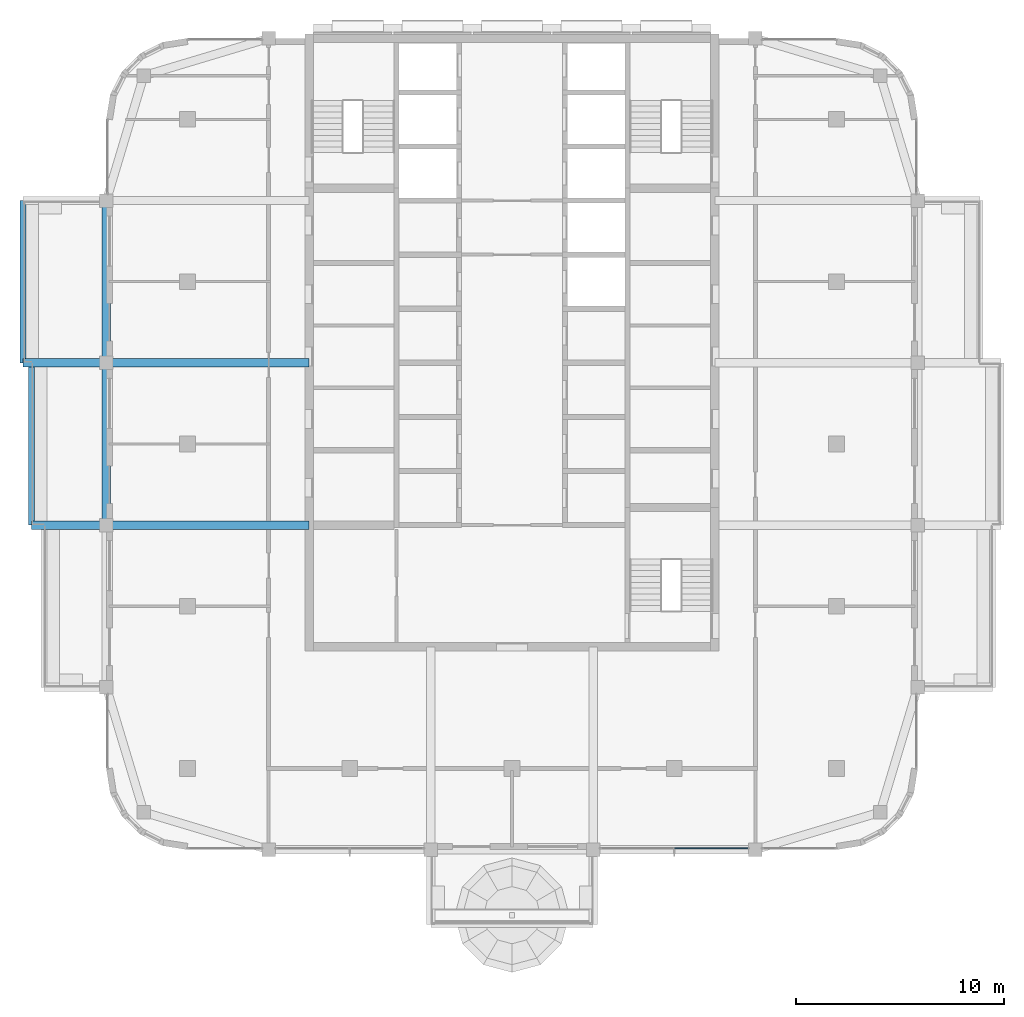
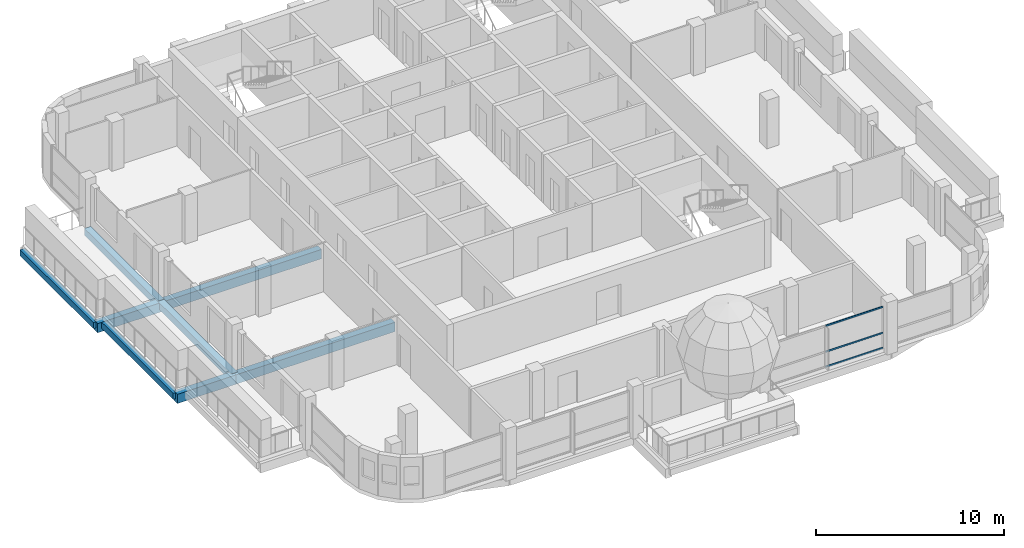
# One storey, part 4 of 19: 8 beams, 3 members, 1 element without a shape of its own.
"""IFC4 building model written with IfcOpenShell, lengths in metres."""

from ifc_helpers import new_model, si_unit, direction, frame, origin, origin_2d, place, context, subcontext, project, spatial, rectangle, extrude, material, material_profile, profile_set, type_object, element, aggregate, save


model = new_model("IFC4")

# Units and contexts
model_context = context("Model", 3, precision=1e-05, world=origin(), true_north=direction((0.0, 1.0)))
body_context = subcontext(model_context, "Body", "Model", "MODEL_VIEW")
ifc_project = project(units=[si_unit("LENGTHUNIT", "METRE"), si_unit("AREAUNIT", "SQUARE_METRE"), si_unit("VOLUMEUNIT", "CUBIC_METRE"), si_unit("PLANEANGLEUNIT", "RADIAN"), si_unit("MASSUNIT", "GRAM", prefix="KILO")], contexts=[model_context])

# Site, building, storey
site_placement = place(None, origin())
site = spatial("IfcSite", under=ifc_project, at=site_placement, CompositionType="ELEMENT")
building_placement = place(site_placement, origin())
building = spatial("IfcBuilding", under=site, at=building_placement, Name="Ludao Terraces", CompositionType="ELEMENT")
storey_placement = place(building_placement, frame((0.0, 0.0, 256.199951171875)))
storey = spatial("IfcBuildingStorey", under=building, at=storey_placement, Name="L70", CompositionType="ELEMENT", Elevation=256.199951171875)

# Curtain wall, members
ifc_material_1 = material(Name="Aluminium curtain wall with fritted glass", Category="aluminium")
curtain_wall_type = type_object("IfcCurtainWallType", Name="ENV CW3 community glazing", PredefinedType="NOTDEFINED", material=ifc_material_1)
curtain_wall_placement = place(storey_placement, origin())
curtain_wall = element("IfcCurtainWall", 1, at=curtain_wall_placement, inside=storey, type_object=curtain_wall_type, Name="Community floor glazing L70 S4", PredefinedType="NOTDEFINED")
ifc_material_2 = material(Name="Aluminium 6063-T6", Category="aluminium")
ifc_material_profile_1 = material_profile(ifc_material_2, rectangle(XDim=0.050048828125, YDim=0.10009765625, at=origin_2d()), Name="50 X 100")
ifc_profile_set_1 = profile_set([ifc_material_profile_1], Name="Aluminium 6063-T6")
member_type = type_object("IfcMemberType", Name="ENV CW3 transom 50x100", PredefinedType="USERDEFINED", material=ifc_profile_set_1)
member_1_placement = place(storey_placement, frame((92.824951171875, 45.56005859375, 0.025146484375), z_axis=(1.0, 0.0, 0.0), x_axis=(0.0, 1.0, 0.0)))
member_1 = element("IfcMember", 2, at=member_1_placement, type_object=member_type, Name="CW3 transom 2.1", ObjectType="TRANSOM", PredefinedType="USERDEFINED", context=body_context, shape_type="SweptSolid", body=[
    extrude(rectangle(XDim=0.050048828125, YDim=0.10009765625, at=origin_2d()), origin(), (0.0, 0.0, 1.0), 3.5),
])
member_2_placement = place(storey_placement, frame((92.824951171875, 45.56005859375, 1.0), z_axis=(1.0, 0.0, 0.0), x_axis=(0.0, 1.0, 0.0)))
member_2 = element("IfcMember", 3, at=member_2_placement, type_object=member_type, Name="CW3 transom 2.2", ObjectType="TRANSOM", PredefinedType="USERDEFINED", context=body_context, shape_type="SweptSolid", body=[
    extrude(rectangle(XDim=0.050048828125, YDim=0.10009765625, at=origin_2d()), origin(), (0.0, 0.0, 1.0), 3.5),
])
member_3_placement = place(storey_placement, frame((92.824951171875, 45.56005859375, 2.675048828125), z_axis=(1.0, 0.0, 0.0), x_axis=(0.0, 1.0, 0.0)))
member_3 = element("IfcMember", 4, at=member_3_placement, type_object=member_type, Name="CW3 transom 2.3", ObjectType="TRANSOM", PredefinedType="USERDEFINED", context=body_context, shape_type="SweptSolid", body=[
    extrude(rectangle(XDim=0.050048828125, YDim=0.10009765625, at=origin_2d()), origin(), (0.0, 0.0, 1.0), 3.5),
])
aggregate(curtain_wall, [member_1, member_2, member_3])

# Beams
ifc_material_3 = material(Name="Concrete C40", Category="concrete")
ifc_material_profile_2 = material_profile(ifc_material_3, rectangle(XDim=0.300048828125, YDim=0.39990234375, at=origin_2d()), Name="300 X 400")
ifc_profile_set_2 = profile_set([ifc_material_profile_2], Name="Concrete C40")
beam_type_1 = type_object("IfcBeamType", Name="RC beam 300x400 C40", PredefinedType="BEAM", material=ifc_profile_set_2)
beam_1_placement = place(storey_placement, frame((61.89990234375, 61.10009765625, -0.449951171875), z_axis=(0.0, 1.0, 0.0), x_axis=(-1.0, 0.0, 0.0)))
element("IfcBeam", 5, at=beam_1_placement, inside=storey, type_object=beam_type_1, Name="Balcony edge beam L70 W2", PredefinedType="BEAM", context=body_context, shape_type="SweptSolid", body=[
    extrude(rectangle(XDim=0.300048828125, YDim=0.39990234375, at=origin_2d()), origin(), (0.0, 0.0, 1.0), 7.7998046875),
])
beam_2_placement = place(storey_placement, frame((61.5, 68.89990234375, -0.449951171875), z_axis=(0.0, 1.0, 0.0), x_axis=(-1.0, 0.0, 0.0)))
element("IfcBeam", 6, at=beam_2_placement, inside=storey, type_object=beam_type_1, Name="Balcony edge beam L70 W3", PredefinedType="BEAM", context=body_context, shape_type="SweptSolid", body=[
    extrude(rectangle(XDim=0.300048828125, YDim=0.39990234375, at=origin_2d()), origin(), (0.0, 0.0, 1.0), 7.800048828125),
])
ifc_material_profile_3 = material_profile(ifc_material_3, rectangle(XDim=0.39990234375, YDim=0.449951171875, at=origin_2d()), Name="400 X 450")
ifc_profile_set_3 = profile_set([ifc_material_profile_3], Name="Concrete C40")
beam_type_2 = type_object("IfcBeamType", Name="RC beam 400x450 C40", PredefinedType="BEAM", material=ifc_profile_set_3)
beam_3_placement = place(storey_placement, frame((65.5, 61.10009765625, -0.474853515625), z_axis=(0.0, 1.0, 0.0), x_axis=(-1.0, 0.0, 0.0)))
element("IfcBeam", 7, at=beam_3_placement, inside=storey, type_object=beam_type_2, Name="Spandrel beam L70 W10", PredefinedType="BEAM", context=body_context, shape_type="SweptSolid", body=[
    extrude(rectangle(XDim=0.39990234375, YDim=0.449951171875, at=origin_2d()), origin(), (0.0, 0.0, 1.0), 7.7998046875),
])
beam_4_placement = place(storey_placement, frame((65.5, 68.89990234375, -0.474853515625), z_axis=(0.0, 1.0, 0.0), x_axis=(-1.0, 0.0, 0.0)))
element("IfcBeam", 8, at=beam_4_placement, inside=storey, type_object=beam_type_2, Name="Spandrel beam L70 W11", PredefinedType="BEAM", context=body_context, shape_type="SweptSolid", body=[
    extrude(rectangle(XDim=0.39990234375, YDim=0.449951171875, at=origin_2d()), origin(), (0.0, 0.0, 1.0), 7.800048828125),
])
ifc_material_profile_4 = material_profile(ifc_material_3, rectangle(XDim=0.39990234375, YDim=0.60009765625, at=origin_2d()), Name="400 X 600")
ifc_profile_set_4 = profile_set([ifc_material_profile_4], Name="Concrete C40")
beam_type_3 = type_object("IfcBeamType", Name="RC beam 400x600 C40", PredefinedType="BEAM", material=ifc_profile_set_4)
beam_5_placement = place(storey_placement, frame((75.25, 61.10009765625, -0.550048828125), z_axis=(-1.0, 0.0, 0.0), x_axis=(0.0, -1.0, 0.0)))
element("IfcBeam", 9, at=beam_5_placement, inside=storey, type_object=beam_type_3, Name="Balcony beam L70 W611", PredefinedType="BEAM", context=body_context, shape_type="SweptSolid", body=[
    extrude(rectangle(XDim=0.39990234375, YDim=0.60009765625, at=origin_2d()), origin(), (0.0, 0.0, 1.0), 9.75),
])
beam_6_placement = place(storey_placement, frame((65.5, 61.10009765625, -0.550048828125), z_axis=(-1.0, 0.0, 0.0), x_axis=(0.0, -1.0, 0.0)))
element("IfcBeam", 10, at=beam_6_placement, inside=storey, type_object=beam_type_3, Name="Balcony beam L70 W611", PredefinedType="BEAM", context=body_context, shape_type="SweptSolid", body=[
    extrude(rectangle(XDim=0.39990234375, YDim=0.60009765625, at=origin_2d()), origin(), (0.0, 0.0, 1.0), 3.60009765625),
])
beam_7_placement = place(storey_placement, frame((75.25, 68.89990234375, -0.550048828125), z_axis=(-1.0, 0.0, 0.0), x_axis=(0.0, -1.0, 0.0)))
element("IfcBeam", 11, at=beam_7_placement, inside=storey, type_object=beam_type_3, Name="Balcony beam L70 W689", PredefinedType="BEAM", context=body_context, shape_type="SweptSolid", body=[
    extrude(rectangle(XDim=0.39990234375, YDim=0.60009765625, at=origin_2d()), origin(), (0.0, 0.0, 1.0), 9.75),
])
beam_8_placement = place(storey_placement, frame((65.5, 68.89990234375, -0.550048828125), z_axis=(-1.0, 0.0, 0.0), x_axis=(0.0, -1.0, 0.0)))
element("IfcBeam", 12, at=beam_8_placement, inside=storey, type_object=beam_type_3, Name="Balcony beam L70 W689", PredefinedType="BEAM", context=body_context, shape_type="SweptSolid", body=[
    extrude(rectangle(XDim=0.39990234375, YDim=0.60009765625, at=origin_2d()), origin(), (0.0, 0.0, 1.0), 4.0),
])

save(model, "model.ifc")
